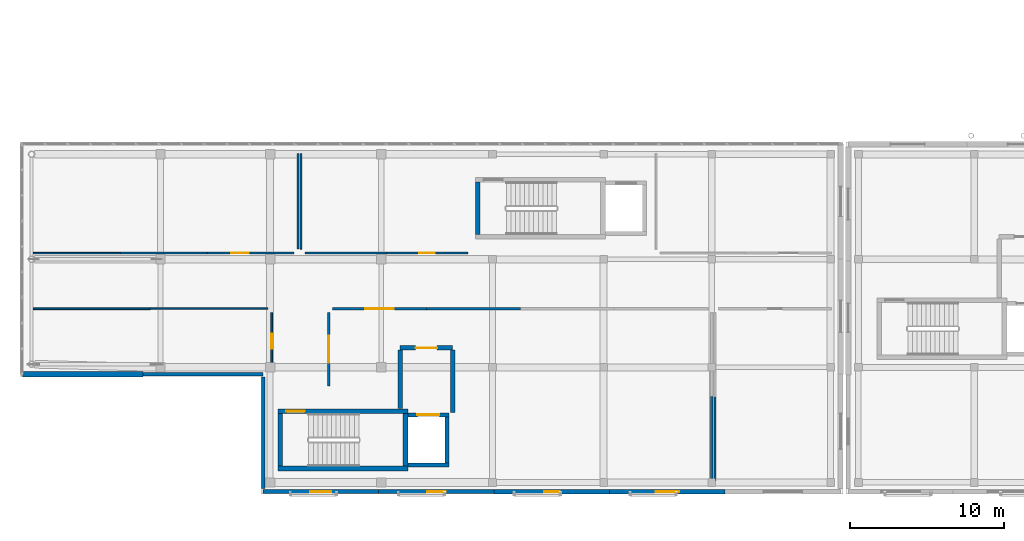
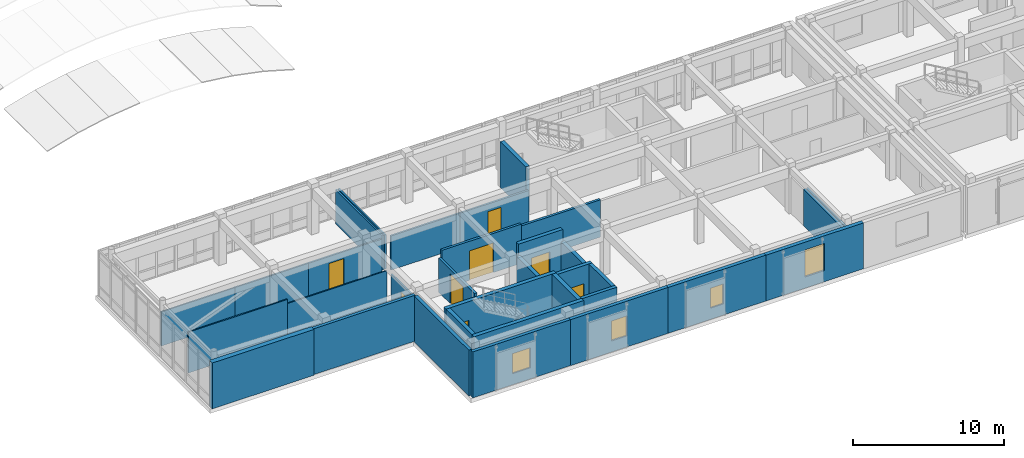
# One storey, part 77 of 91: 33 walls, 8 doors, 4 windows, 12 openings.
"""IFC4 building model written with IfcOpenShell, lengths in metres."""

from ifc_helpers import new_model, si_unit, direction, frame, frame_2d, origin, place, context, subcontext, project, spatial, rectangle, extrude, material, layer, layer_set, type_object, element, fill, save


model = new_model("IFC4")

# Units and contexts
model_context = context("Model", 3, precision=1e-05, world=origin(), true_north=direction((0.0, 1.0)))
body_context = subcontext(model_context, "Body", "Model", "MODEL_VIEW")
ifc_project = project(units=[si_unit("LENGTHUNIT", "METRE"), si_unit("AREAUNIT", "SQUARE_METRE"), si_unit("VOLUMEUNIT", "CUBIC_METRE"), si_unit("PLANEANGLEUNIT", "RADIAN"), si_unit("MASSUNIT", "GRAM", prefix="KILO")], contexts=[model_context])

# Site, building, storey
site_placement = place(None, origin())
site = spatial("IfcSite", under=ifc_project, at=site_placement, CompositionType="ELEMENT")
building_placement = place(site_placement, origin())
building = spatial("IfcBuilding", under=site, at=building_placement, Name="Valcora Specialist Clinic", CompositionType="ELEMENT")
storey_placement = place(building_placement, frame((0.0, 0.0, 13.60009765625)))
storey = spatial("IfcBuildingStorey", under=building, at=storey_placement, Name="L03", CompositionType="ELEMENT", Elevation=13.60009765625)

# Wall, opening, door
ifc_material_1 = material(Name="Concrete C40/50", Category="concrete")
ifc_layer_1 = layer(ifc_material_1, 0.284912109375)
ifc_layer_set_1 = layer_set([ifc_layer_1], Name="Concrete C40/50")
wall_type_1 = type_object("IfcWallType", Name="TY-WL-CR285", PredefinedType="SHEAR", material=ifc_layer_set_1)
wall_1_placement = place(storey_placement, frame((24.6201171875, 9.4599609375, 0.0), z_axis=(0.0, 0.0, 1.0), x_axis=(1.0, 0.0, 0.0)))
wall_1 = element("IfcWall", 1, at=wall_1_placement, inside=storey, type_object=wall_type_1, Name="Firefighting lobby front wall WL-FFL-LF-05-L03-F", PredefinedType="SHEAR", context=body_context, shape_type="SweptSolid", body=[
    extrude(rectangle(XDim=3.39990234375, YDim=0.284912109375, at=frame_2d((1.699951171875, 0.0))), origin(), (0.0, 0.0, 1.0), 3.719970703125),
])
opening_1_placement = place(wall_1_placement, frame((1.0, 0.0, 0.0)))
opening_1 = element("IfcOpeningElement", 2, at=opening_1_placement, cuts=wall_1, Name="Opening DR-FF-140", PredefinedType="OPENING", context=body_context, shape_type="SweptSolid", body=[
    extrude(rectangle(XDim=1.39990234375, YDim=2.25, at=frame_2d((0.699951171875, 1.125))), frame((0.0, 0.15234375, 0.0), z_axis=(0.0, -1.0, 0.0), x_axis=(1.0, 0.0, 0.0)), (0.0, 0.0, 1.0), 0.304931640625),
])
ifc_material_2 = material(Name="Galvanized Hollow Metal Door Steel ASTM A653", Category="steel")
door_type_1 = type_object("IfcDoorType", Name="TY-DR-FF140", OperationType="NOTDEFINED", PredefinedType="DOOR", material=ifc_material_2)
door_1_placement = place(opening_1_placement, origin())
door_1 = element("IfcDoor", 3, at=door_1_placement, inside=storey, type_object=door_type_1, Name="Firefighting lobby fire door LF-05 L03", OperationType="SINGLE_SWING_LEFT", OverallHeight=2.25, OverallWidth=1.39990234375, PredefinedType="DOOR", context=body_context, shape_type="SweptSolid", body=[
    extrude(rectangle(XDim=1.39990234375, YDim=2.25, at=frame_2d((0.699951171875, 1.125))), frame((0.0, 0.02490234375, 0.0), z_axis=(0.0, -1.0, 0.0), x_axis=(1.0, 0.0, 0.0)), (0.0, 0.0, 1.0), 0.050048828125),
])
fill(opening_1, door_1)

# Walls
wall_2_placement = place(storey_placement, frame((24.6201171875, 5.52001953125, 0.0), z_axis=(0.0, 0.0, 1.0), x_axis=(0.0, 1.0, 0.0)))
element("IfcWall", 4, at=wall_2_placement, inside=storey, type_object=wall_type_1, Name="Firefighting lobby west wall", PredefinedType="SHEAR", context=body_context, shape_type="SweptSolid", body=[
    extrude(rectangle(XDim=3.7900390625, YDim=0.284912109375, at=frame_2d((1.89501953125, 0.0))), origin(), (0.0, 0.0, 1.0), 2.77001953125),
])
wall_3_placement = place(storey_placement, frame((28.02001953125, 5.280029296875, 0.0), z_axis=(0.0, 0.0, 1.0), x_axis=(0.0, 1.0, 0.0)))
element("IfcWall", 5, at=wall_3_placement, inside=storey, type_object=wall_type_1, Name="Firefighting lobby east wall", PredefinedType="SHEAR", context=body_context, shape_type="SweptSolid", body=[
    extrude(rectangle(XDim=4.030029296875, YDim=0.284912109375, at=frame_2d((2.01513671875, 0.0))), origin(), (0.0, 0.0, 1.0), 2.77001953125),
])
ifc_layer_2 = layer(ifc_material_1, 0.300048828125)
ifc_layer_set_2 = layer_set([ifc_layer_2], Name="Concrete C40/50")
wall_type_2 = type_object("IfcWallType", Name="TY-WL-CR300", PredefinedType="SHEAR", material=ifc_layer_set_2)
wall_4_placement = place(storey_placement, frame((16.699951171875, 1.64990234375, 0.0), z_axis=(0.0, 0.0, 1.0), x_axis=(1.0, 0.0, 0.0)))
element("IfcWall", 6, at=wall_4_placement, inside=storey, type_object=wall_type_2, Name="Core shear wall WL-CR-C-V5A-L03-S", PredefinedType="SHEAR", context=body_context, shape_type="SweptSolid", body=[
    extrude(rectangle(XDim=8.420166015625, YDim=0.300048828125, at=frame_2d((4.2099609375, 0.0))), origin(), (0.0, 0.0, 1.0), 3.719970703125),
])

# Wall, opening, door
wall_5_placement = place(storey_placement, frame((16.699951171875, 5.35009765625, 0.0), z_axis=(0.0, 0.0, 1.0), x_axis=(1.0, 0.0, 0.0)))
wall_5 = element("IfcWall", 7, at=wall_5_placement, inside=storey, type_object=wall_type_2, Name="Core shear wall WL-CR-C-V5A-L03-N", PredefinedType="SHEAR", context=body_context, shape_type="SweptSolid", body=[
    extrude(rectangle(XDim=8.420166015625, YDim=0.300048828125, at=frame_2d((4.2099609375, 0.0))), origin(), (0.0, 0.0, 1.0), 3.719970703125),
])
opening_2_placement = place(wall_5_placement, frame((0.550048828125, 0.0, 0.0)))
opening_2 = element("IfcOpeningElement", 8, at=opening_2_placement, cuts=wall_5, Name="Opening DR-FD-120", PredefinedType="OPENING", context=body_context, shape_type="SweptSolid", body=[
    extrude(rectangle(XDim=1.199951171875, YDim=2.199951171875, at=frame_2d((0.60009765625, 1.10009765625))), frame((0.0, 0.159912109375, 0.0), z_axis=(0.0, -1.0, 0.0), x_axis=(1.0, 0.0, 0.0)), (0.0, 0.0, 1.0), 0.320068359375),
])
door_type_2 = type_object("IfcDoorType", Name="TY-DR-ST120", OperationType="NOTDEFINED", PredefinedType="DOOR", material=ifc_material_2)
door_2_placement = place(opening_2_placement, origin())
door_2 = element("IfcDoor", 9, at=door_2_placement, inside=storey, type_object=door_type_2, Name="Exit stair fire door C-V5A L03", OperationType="SINGLE_SWING_RIGHT", OverallHeight=2.199951171875, OverallWidth=1.199951171875, PredefinedType="DOOR", context=body_context, shape_type="SweptSolid", body=[
    extrude(rectangle(XDim=1.199951171875, YDim=2.199951171875, at=frame_2d((0.60009765625, 1.10009765625))), frame((0.0, 0.02490234375, 0.0), z_axis=(0.0, -1.0, 0.0), x_axis=(1.0, 0.0, 0.0)), (0.0, 0.0, 1.0), 0.050048828125),
])
fill(opening_2, door_2)

# Walls
for number, where, z_axis, x_axis, name in (
    (10, (16.85009765625, 1.802001953125, 0.0), (0.0, 0.0, 1.0), (0.0, 1.0, 0.0), "Core shear wall WL-CR-C-V5A-L03-W"),
    (11, (29.64990234375, 16.802001953125, 0.0), (0.0, 0.0, 1.0), (0.0, 1.0, 0.0), "Core shear wall WL-CR-C-V5B-L03-W"),
):
    element("IfcWall", number, at=place(storey_placement, frame(where, z_axis=z_axis, x_axis=x_axis)), inside=storey, type_object=wall_type_2, Name=name, PredefinedType="SHEAR", context=body_context, shape_type="SweptSolid", body=[
        extrude(rectangle(XDim=3.39599609375, YDim=0.300048828125, at=frame_2d((1.697998046875, 0.0))), origin(), (0.0, 0.0, 1.0), 3.719970703125),
    ])
ifc_layer_3 = layer(ifc_material_1, 0.320068359375)
ifc_layer_set_3 = layer_set([ifc_layer_3], Name="Concrete C40/50")
wall_type_3 = type_object("IfcWallType", Name="TY-WL-CR320", PredefinedType="SHEAR", material=ifc_layer_set_3)
wall_6_placement = place(storey_placement, frame((24.9599609375, 1.802001953125, 0.0), z_axis=(0.0, 0.0, 1.0), x_axis=(0.0, 1.0, 0.0)))
element("IfcWall", 12, at=wall_6_placement, inside=storey, type_object=wall_type_3, Name="Core shear wall WL-CR-C-V5A-L03-E", PredefinedType="SHEAR", context=body_context, shape_type="SweptSolid", body=[
    extrude(rectangle(XDim=3.39599609375, YDim=0.320068359375, at=frame_2d((1.697998046875, 0.0))), origin(), (0.0, 0.0, 1.0), 3.719970703125),
])
ifc_material_3 = material(Name="Extruded Jalisco Clay Brick Masonry", Category="masonry")
ifc_layer_4 = layer(ifc_material_3, 0.235107421875)
ifc_layer_set_4 = layer_set([ifc_layer_4], Name="Extruded Jalisco Clay Brick Masonry")
wall_type_4 = type_object("IfcWallType", Name="TY-WL-EW235", PredefinedType="SOLIDWALL", material=ifc_layer_set_4)
wall_7_placement = place(storey_placement, frame((15.75, 7.75, 0.0), z_axis=(0.0, 0.0, 1.0), x_axis=(-1.0, 0.0, 0.0)))
element("IfcWall", 13, at=wall_7_placement, inside=storey, type_object=wall_type_4, Name="Exterior wall WL-EXT-L03-0270", PredefinedType="SOLIDWALL", context=body_context, shape_type="SweptSolid", body=[
    extrude(rectangle(XDim=7.800048828125, YDim=0.235107421875, at=frame_2d((3.89990234375, 0.0))), origin(), (0.0, 0.0, 1.0), 3.719970703125),
])
ifc_layer_5 = layer(ifc_material_3, 0.25)
ifc_layer_set_5 = layer_set([ifc_layer_5], Name="Extruded Jalisco Clay Brick Masonry")
wall_type_5 = type_object("IfcWallType", Name="TY-WL-EW250", PredefinedType="SOLIDWALL", material=ifc_layer_set_5)
wall_8_placement = place(storey_placement, frame((15.75, 0.340087890625, 0.0), z_axis=(0.0, 0.0, 1.0), x_axis=(0.0, 1.0, 0.0)))
element("IfcWall", 14, at=wall_8_placement, inside=storey, type_object=wall_type_5, Name="Exterior wall WL-EXT-L03-0269", PredefinedType="SOLIDWALL", context=body_context, shape_type="SweptSolid", body=[
    extrude(rectangle(XDim=7.219970703125, YDim=0.25, at=frame_2d((3.60986328125, 0.0))), origin(), (0.0, 0.0, 1.0), 3.719970703125),
])

# Wall, opening, window
wall_9_placement = place(storey_placement, frame((23.22998046875, 0.14990234375, 0.0), z_axis=(0.0, 0.0, 1.0), x_axis=(-1.0, 0.0, 0.0)))
wall_9 = element("IfcWall", 15, at=wall_9_placement, inside=storey, type_object=wall_type_5, Name="Exterior wall WL-EXT-L03-0279", PredefinedType="SOLIDWALL", context=body_context, shape_type="SweptSolid", body=[
    extrude(rectangle(XDim=7.47998046875, YDim=0.25, at=frame_2d((3.739990234375, 0.0))), origin(), (0.0, 0.0, 1.0), 3.719970703125),
])
opening_3_placement = place(wall_9_placement, frame((3.06005859375, 0.0, 0.89990234375)))
opening_3 = element("IfcOpeningElement", 16, at=opening_3_placement, cuts=wall_9, Name="Opening WN-33", PredefinedType="OPENING", context=body_context, shape_type="SweptSolid", body=[
    extrude(rectangle(XDim=1.360107421875, YDim=1.6201171875, at=frame_2d((0.68017578125, 0.81005859375))), frame((0.0, 0.135009765625, 0.0), z_axis=(0.0, -1.0, 0.0), x_axis=(1.0, 0.0, 0.0)), (0.0, 0.0, 1.0), 0.27001953125),
])
ifc_material_4 = material(Name="Low-E Laminated Insulating Glass", Category="glass")
window_type_1 = type_object("IfcWindowType", Name="TY-WN-33", PartitioningType="SINGLE_PANEL", PredefinedType="WINDOW", material=ifc_material_4)
window_1_placement = place(opening_3_placement, origin())
window_1 = element("IfcWindow", 17, at=window_1_placement, inside=storey, type_object=window_type_1, Name="Facade window WN-L03-0243", OverallHeight=1.6201171875, OverallWidth=1.360107421875, PartitioningType="SINGLE_PANEL", PredefinedType="WINDOW", context=body_context, shape_type="SweptSolid", body=[
    extrude(rectangle(XDim=1.360107421875, YDim=1.6201171875, at=frame_2d((0.68017578125, 0.81005859375))), frame((0.0, 0.030029296875, 0.0), z_axis=(0.0, -1.0, 0.0), x_axis=(1.0, 0.0, 0.0)), (0.0, 0.0, 1.0), 0.06005859375),
])
fill(opening_3, window_1)

ifc_layer_6 = layer(ifc_material_3, 0.264892578125)
ifc_layer_set_6 = layer_set([ifc_layer_6], Name="Extruded Jalisco Clay Brick Masonry")
wall_type_6 = type_object("IfcWallType", Name="TY-WL-EW265", PredefinedType="SOLIDWALL", material=ifc_layer_set_6)
wall_10_placement = place(storey_placement, frame((30.7099609375, 0.14990234375, 0.0), z_axis=(0.0, 0.0, 1.0), x_axis=(-1.0, 0.0, 0.0)))
wall_10 = element("IfcWall", 18, at=wall_10_placement, inside=storey, type_object=wall_type_6, Name="Exterior wall WL-EXT-L03-0278", PredefinedType="SOLIDWALL", context=body_context, shape_type="SweptSolid", body=[
    extrude(rectangle(XDim=7.47998046875, YDim=0.264892578125, at=frame_2d((3.739990234375, 0.0))), origin(), (0.0, 0.0, 1.0), 3.719970703125),
])
opening_4_placement = place(wall_10_placement, frame((3.14990234375, 0.0, 0.89990234375)))
opening_4 = element("IfcOpeningElement", 19, at=opening_4_placement, cuts=wall_10, Name="Opening WN-32", PredefinedType="OPENING", context=body_context, shape_type="SweptSolid", body=[
    extrude(rectangle(XDim=1.179931640625, YDim=1.6201171875, at=frame_2d((0.58984375, 0.81005859375))), frame((0.0, 0.142333984375, 0.0), z_axis=(0.0, -1.0, 0.0), x_axis=(1.0, 0.0, 0.0)), (0.0, 0.0, 1.0), 0.284912109375),
])
window_type_2 = type_object("IfcWindowType", Name="TY-WN-32", PartitioningType="SINGLE_PANEL", PredefinedType="WINDOW", material=ifc_material_4)
window_2_placement = place(opening_4_placement, origin())
window_2 = element("IfcWindow", 20, at=window_2_placement, inside=storey, type_object=window_type_2, Name="Facade window WN-L03-0242", OverallHeight=1.6201171875, OverallWidth=1.179931640625, PartitioningType="SINGLE_PANEL", PredefinedType="WINDOW", context=body_context, shape_type="SweptSolid", body=[
    extrude(rectangle(XDim=1.179931640625, YDim=1.6201171875, at=frame_2d((0.58984375, 0.81005859375))), frame((0.0, 0.030029296875, 0.0), z_axis=(0.0, -1.0, 0.0), x_axis=(1.0, 0.0, 0.0)), (0.0, 0.0, 1.0), 0.06005859375),
])
fill(opening_4, window_2)

ifc_layer_7 = layer(ifc_material_3, 0.280029296875)
ifc_layer_set_7 = layer_set([ifc_layer_7], Name="Extruded Jalisco Clay Brick Masonry")
wall_type_7 = type_object("IfcWallType", Name="TY-WL-EW280", PredefinedType="SOLIDWALL", material=ifc_layer_set_7)
wall_11_placement = place(storey_placement, frame((38.18994140625, 0.14990234375, 0.0), z_axis=(0.0, 0.0, 1.0), x_axis=(-1.0, 0.0, 0.0)))
wall_11 = element("IfcWall", 21, at=wall_11_placement, inside=storey, type_object=wall_type_7, Name="Exterior wall WL-EXT-L03-0277", PredefinedType="SOLIDWALL", context=body_context, shape_type="SweptSolid", body=[
    extrude(rectangle(XDim=7.47998046875, YDim=0.280029296875, at=frame_2d((3.739990234375, 0.0))), origin(), (0.0, 0.0, 1.0), 3.719970703125),
])
opening_5_placement = place(wall_11_placement, frame((3.239990234375, 0.0, 0.89990234375)))
opening_5 = element("IfcOpeningElement", 22, at=opening_5_placement, cuts=wall_11, Name="Opening WN-31", PredefinedType="OPENING", context=body_context, shape_type="SweptSolid", body=[
    extrude(rectangle(XDim=1.0, YDim=1.6201171875, at=frame_2d((0.5, 0.81005859375))), frame((0.0, 0.14990234375, 0.0), z_axis=(0.0, -1.0, 0.0), x_axis=(1.0, 0.0, 0.0)), (0.0, 0.0, 1.0), 0.300048828125),
])
window_type_3 = type_object("IfcWindowType", Name="TY-WN-31", PartitioningType="SINGLE_PANEL", PredefinedType="WINDOW", material=ifc_material_4)
window_3_placement = place(opening_5_placement, origin())
window_3 = element("IfcWindow", 23, at=window_3_placement, inside=storey, type_object=window_type_3, Name="Facade window WN-L03-0241", OverallHeight=1.6201171875, OverallWidth=1.0, PartitioningType="SINGLE_PANEL", PredefinedType="WINDOW", context=body_context, shape_type="SweptSolid", body=[
    extrude(rectangle(XDim=1.0, YDim=1.6201171875, at=frame_2d((0.5, 0.81005859375))), frame((0.0, 0.030029296875, 0.0), z_axis=(0.0, -1.0, 0.0), x_axis=(1.0, 0.0, 0.0)), (0.0, 0.0, 1.0), 0.06005859375),
])
fill(opening_5, window_3)

ifc_layer_8 = layer(ifc_material_3, 0.294921875)
ifc_layer_set_8 = layer_set([ifc_layer_8], Name="Extruded Jalisco Clay Brick Masonry")
wall_type_8 = type_object("IfcWallType", Name="TY-WL-EW295", PredefinedType="SOLIDWALL", material=ifc_layer_set_8)
wall_12_placement = place(storey_placement, frame((45.669921875, 0.14990234375, 0.0), z_axis=(0.0, 0.0, 1.0), x_axis=(-1.0, 0.0, 0.0)))
wall_12 = element("IfcWall", 24, at=wall_12_placement, inside=storey, type_object=wall_type_8, Name="Exterior wall WL-EXT-L03-0276", PredefinedType="SOLIDWALL", context=body_context, shape_type="SweptSolid", body=[
    extrude(rectangle(XDim=7.47998046875, YDim=0.294921875, at=frame_2d((3.739990234375, 0.0))), origin(), (0.0, 0.0, 1.0), 3.719970703125),
])
opening_6_placement = place(wall_12_placement, frame((2.989990234375, 0.0, 0.89990234375)))
opening_6 = element("IfcOpeningElement", 25, at=opening_6_placement, cuts=wall_12, Name="Opening WN-30", PredefinedType="OPENING", context=body_context, shape_type="SweptSolid", body=[
    extrude(rectangle(XDim=1.5, YDim=2.199951171875, at=frame_2d((0.75, 1.10009765625))), frame((0.0, 0.157470703125, 0.0), z_axis=(0.0, -1.0, 0.0), x_axis=(1.0, 0.0, 0.0)), (0.0, 0.0, 1.0), 0.31494140625),
])
window_type_4 = type_object("IfcWindowType", Name="TY-WN-30", PartitioningType="SINGLE_PANEL", PredefinedType="WINDOW", material=ifc_material_4)
window_4_placement = place(opening_6_placement, origin())
window_4 = element("IfcWindow", 26, at=window_4_placement, inside=storey, type_object=window_type_4, Name="Facade window WN-L03-0240", OverallHeight=2.199951171875, OverallWidth=1.5, PartitioningType="SINGLE_PANEL", PredefinedType="WINDOW", context=body_context, shape_type="SweptSolid", body=[
    extrude(rectangle(XDim=1.5, YDim=2.199951171875, at=frame_2d((0.75, 1.10009765625))), frame((0.0, 0.030029296875, 0.0), z_axis=(0.0, -1.0, 0.0), x_axis=(1.0, 0.0, 0.0)), (0.0, 0.0, 1.0), 0.06005859375),
])
fill(opening_6, window_4)

# Walls
ifc_layer_9 = layer(ifc_material_3, 0.3701171875)
ifc_layer_set_9 = layer_set([ifc_layer_9], Name="Extruded Jalisco Clay Brick Masonry")
wall_type_9 = type_object("IfcWallType", Name="TY-WL-EW370", PredefinedType="SOLIDWALL", material=ifc_layer_set_9)
wall_13_placement = place(storey_placement, frame((7.949951171875, 7.75, 0.0), z_axis=(0.0, 0.0, 1.0), x_axis=(-1.0, 0.0, 0.0)))
element("IfcWall", 27, at=wall_13_placement, inside=storey, type_object=wall_type_9, Name="Exterior wall WL-EXT-L03-0271", PredefinedType="SOLIDWALL", context=body_context, shape_type="SweptSolid", body=[
    extrude(rectangle(XDim=7.800048828125, YDim=0.3701171875, at=frame_2d((3.89990234375, 0.0))), origin(), (0.0, 0.0, 1.0), 3.719970703125),
])
ifc_material_5 = material(Name="Gypsum Board Partition Assembly")
ifc_layer_10 = layer(ifc_material_5, 0.094970703125)
ifc_layer_set_10 = layer_set([ifc_layer_10], Name="Gypsum Board Partition Assembly")
wall_type_10 = type_object("IfcWallType", Name="TY-WL-PT095", PredefinedType="PARTITIONING", material=ifc_layer_set_10)
wall_14_placement = place(storey_placement, frame((8.449951171875, 12.0, 0.0), z_axis=(0.0, 0.0, 1.0), x_axis=(1.0, 0.0, 0.0)))
element("IfcWall", 28, at=wall_14_placement, inside=storey, type_object=wall_type_10, Name="Interior partition WL-INT-L03-0431", PredefinedType="PARTITIONING", context=body_context, shape_type="SweptSolid", body=[
    extrude(rectangle(XDim=7.60009765625, YDim=0.094970703125, at=frame_2d((3.800048828125, 0.0))), origin(), (0.0, 0.0, 1.0), 2.969970703125),
])
ifc_layer_11 = layer(ifc_material_5, 0.10498046875)
ifc_layer_set_11 = layer_set([ifc_layer_11], Name="Gypsum Board Partition Assembly")
wall_type_11 = type_object("IfcWallType", Name="TY-WL-PT105", PredefinedType="PARTITIONING", material=ifc_layer_set_11)
wall_15_placement = place(storey_placement, frame((6.48291015625, 15.60009765625, 0.0), z_axis=(0.0, 0.0, 1.0), x_axis=(-1.0, 0.0, 0.0)))
element("IfcWall", 29, at=wall_15_placement, inside=storey, type_object=wall_type_11, Name="Interior partition WL-INT-L03-0418", PredefinedType="PARTITIONING", context=body_context, shape_type="SweptSolid", body=[
    extrude(rectangle(XDim=5.6328125, YDim=0.10498046875, at=frame_2d((2.81640625, 0.0))), origin(), (0.0, 0.0, 1.0), 2.77001953125),
])
wall_16_placement = place(storey_placement, frame((0.85009765625, 12.0, 0.0), z_axis=(0.0, 0.0, 1.0), x_axis=(1.0, 0.0, 0.0)))
element("IfcWall", 30, at=wall_16_placement, inside=storey, type_object=wall_type_11, Name="Interior partition WL-INT-L03-0430", PredefinedType="PARTITIONING", context=body_context, shape_type="SweptSolid", body=[
    extrude(rectangle(XDim=7.599853515625, YDim=0.10498046875, at=frame_2d((3.7998046875, 0.0))), origin(), (0.0, 0.0, 1.0), 3.309814453125),
])
ifc_layer_12 = layer(ifc_material_5, 0.114990234375)
ifc_layer_set_12 = layer_set([ifc_layer_12], Name="Gypsum Board Partition Assembly")
wall_type_12 = type_object("IfcWallType", Name="TY-WL-PT115", PredefinedType="PARTITIONING", material=ifc_layer_set_12)
wall_17_placement = place(storey_placement, frame((12.116943359375, 15.60009765625, 0.0), z_axis=(0.0, 0.0, 1.0), x_axis=(-1.0, 0.0, 0.0)))
element("IfcWall", 31, at=wall_17_placement, inside=storey, type_object=wall_type_12, Name="Interior partition WL-INT-L03-0417", PredefinedType="PARTITIONING", context=body_context, shape_type="SweptSolid", body=[
    extrude(rectangle(XDim=5.634033203125, YDim=0.114990234375, at=frame_2d((2.81689453125, 0.0))), origin(), (0.0, 0.0, 1.0), 2.77001953125),
])

# Wall, opening, door
wall_18_placement = place(storey_placement, frame((16.300048828125, 11.75, 0.0), z_axis=(0.0, 0.0, 1.0), x_axis=(0.0, -1.0, 0.0)))
wall_18 = element("IfcWall", 32, at=wall_18_placement, inside=storey, type_object=wall_type_12, Name="Interior partition WL-INT-L03-0429", PredefinedType="PARTITIONING", context=body_context, shape_type="SweptSolid", body=[
    extrude(rectangle(XDim=3.699951171875, YDim=0.114990234375, at=frame_2d((1.85009765625, 0.0))), origin(), (0.0, 0.0, 1.0), 2.77001953125),
])
opening_7_placement = place(wall_18_placement, frame((1.360107421875, 0.0, 0.0)))
opening_7 = element("IfcOpeningElement", 33, at=opening_7_placement, cuts=wall_18, Name="Opening DR-CN-098", PredefinedType="OPENING", context=body_context, shape_type="SweptSolid", body=[
    extrude(rectangle(XDim=0.97998046875, YDim=2.14990234375, at=frame_2d((0.489990234375, 1.074951171875))), frame((0.0, 0.0673828125, 0.0), z_axis=(0.0, -1.0, 0.0), x_axis=(1.0, 0.0, 0.0)), (0.0, 0.0, 1.0), 0.135009765625),
])
ifc_material_6 = material(Name="Glulam Conifer Class 24F", Category="wood")
door_type_3 = type_object("IfcDoorType", Name="TY-DR-CN098", OperationType="NOTDEFINED", PredefinedType="DOOR", material=ifc_material_6)
door_3_placement = place(opening_7_placement, origin())
door_3 = element("IfcDoor", 34, at=door_3_placement, inside=storey, type_object=door_type_3, Name="Interior door DR-INT-L03-0119", OperationType="SINGLE_SWING_LEFT", OverallHeight=2.14990234375, OverallWidth=0.97998046875, PredefinedType="DOOR", context=body_context, shape_type="SweptSolid", body=[
    extrude(rectangle(XDim=0.97998046875, YDim=2.14990234375, at=frame_2d((0.489990234375, 1.074951171875))), frame((0.0, 0.02490234375, 0.0), z_axis=(0.0, -1.0, 0.0), x_axis=(1.0, 0.0, 0.0)), (0.0, 0.0, 1.0), 0.050048828125),
])
fill(opening_7, door_3)

ifc_layer_13 = layer(ifc_material_5, 0.125)
ifc_layer_set_13 = layer_set([ifc_layer_13], Name="Gypsum Board Partition Assembly")
wall_type_13 = type_object("IfcWallType", Name="TY-WL-PT125", PredefinedType="PARTITIONING", material=ifc_layer_set_13)
wall_19_placement = place(storey_placement, frame((17.75, 15.60009765625, 0.0), z_axis=(0.0, 0.0, 1.0), x_axis=(-1.0, 0.0, 0.0)))
wall_19 = element("IfcWall", 35, at=wall_19_placement, inside=storey, type_object=wall_type_13, Name="Interior partition WL-INT-L03-0416", PredefinedType="PARTITIONING", context=body_context, shape_type="SweptSolid", body=[
    extrude(rectangle(XDim=5.633056640625, YDim=0.125, at=frame_2d((2.81640625, 0.0))), origin(), (0.0, 0.0, 1.0), 2.77001953125),
])
opening_8_placement = place(wall_19_placement, frame((2.919921875, 0.0, 0.0)))
opening_8 = element("IfcOpeningElement", 36, at=opening_8_placement, cuts=wall_19, Name="Opening DR-CN-114", PredefinedType="OPENING", context=body_context, shape_type="SweptSolid", body=[
    extrude(rectangle(XDim=1.139892578125, YDim=2.199951171875, at=frame_2d((0.56982421875, 1.10009765625))), frame((0.0, 0.072509765625, 0.0), z_axis=(0.0, -1.0, 0.0), x_axis=(1.0, 0.0, 0.0)), (0.0, 0.0, 1.0), 0.14501953125),
])
door_type_4 = type_object("IfcDoorType", Name="TY-DR-CN114", OperationType="NOTDEFINED", PredefinedType="DOOR", material=ifc_material_6)
door_4_placement = place(opening_8_placement, origin())
door_4 = element("IfcDoor", 37, at=door_4_placement, inside=storey, type_object=door_type_4, Name="Interior door DR-INT-L03-0115", OperationType="SINGLE_SWING_LEFT", OverallHeight=2.199951171875, OverallWidth=1.139892578125, PredefinedType="DOOR", context=body_context, shape_type="SweptSolid", body=[
    extrude(rectangle(XDim=1.139892578125, YDim=2.199951171875, at=frame_2d((0.56982421875, 1.10009765625))), frame((0.0, 0.02490234375, 0.0), z_axis=(0.0, -1.0, 0.0), x_axis=(1.0, 0.0, 0.0)), (0.0, 0.0, 1.0), 0.050048828125),
])
fill(opening_8, door_4)

# Walls
wall_20_placement = place(storey_placement, frame((18.199951171875, 15.85009765625, 0.0), z_axis=(0.0, 0.0, 1.0), x_axis=(0.0, 1.0, 0.0)))
element("IfcWall", 38, at=wall_20_placement, inside=storey, type_object=wall_type_13, Name="Interior partition WL-INT-L03-0428", PredefinedType="PARTITIONING", context=body_context, shape_type="SweptSolid", body=[
    extrude(rectangle(XDim=6.199951171875, YDim=0.125, at=frame_2d((3.10009765625, 0.0))), origin(), (0.0, 0.0, 1.0), 2.77001953125),
])
ifc_layer_14 = layer(ifc_material_5, 0.135009765625)
ifc_layer_set_14 = layer_set([ifc_layer_14], Name="Gypsum Board Partition Assembly")
wall_type_14 = type_object("IfcWallType", Name="TY-WL-PT135", PredefinedType="PARTITIONING", material=ifc_layer_set_14)
wall_21_placement = place(storey_placement, frame((18.0, 22.050048828125, 0.0), z_axis=(0.0, 0.0, 1.0), x_axis=(0.0, -1.0, 0.0)))
element("IfcWall", 39, at=wall_21_placement, inside=storey, type_object=wall_type_14, Name="Interior partition WL-INT-L03-0415", PredefinedType="PARTITIONING", context=body_context, shape_type="SweptSolid", body=[
    extrude(rectangle(XDim=6.199951171875, YDim=0.135009765625, at=frame_2d((3.10009765625, 0.0))), origin(), (0.0, 0.0, 1.0), 2.77001953125),
])
wall_22_placement = place(storey_placement, frame((23.72509765625, 15.60009765625, 0.0), z_axis=(0.0, 0.0, 1.0), x_axis=(-1.0, 0.0, 0.0)))
element("IfcWall", 40, at=wall_22_placement, inside=storey, type_object=wall_type_14, Name="Interior partition WL-INT-L03-0427", PredefinedType="PARTITIONING", context=body_context, shape_type="SweptSolid", body=[
    extrude(rectangle(XDim=5.275146484375, YDim=0.135009765625, at=frame_2d((2.6376953125, 0.0))), origin(), (0.0, 0.0, 1.0), 2.77001953125),
])
wall_23_placement = place(storey_placement, frame((45.0, 0.85009765625, 0.0), z_axis=(0.0, 0.0, 1.0), x_axis=(0.0, 1.0, 0.0)))
element("IfcWall", 41, at=wall_23_placement, inside=storey, type_object=wall_type_14, Name="Interior partition WL-INT-L03-0433", PredefinedType="PARTITIONING", context=body_context, shape_type="SweptSolid", body=[
    extrude(rectangle(XDim=5.449951171875, YDim=0.135009765625, at=frame_2d((2.72509765625, 0.0))), origin(), (0.0, 0.0, 1.0), 2.994873046875),
])

# Wall, opening, door
ifc_layer_15 = layer(ifc_material_5, 0.14501953125)
ifc_layer_set_15 = layer_set([ifc_layer_15], Name="Gypsum Board Partition Assembly")
wall_type_15 = type_object("IfcWallType", Name="TY-WL-PT145", PredefinedType="PARTITIONING", material=ifc_layer_set_15)
wall_24_placement = place(storey_placement, frame((29.0, 15.60009765625, 0.0), z_axis=(0.0, 0.0, 1.0), x_axis=(-1.0, 0.0, 0.0)))
wall_24 = element("IfcWall", 42, at=wall_24_placement, inside=storey, type_object=wall_type_15, Name="Interior partition WL-INT-L03-0426", PredefinedType="PARTITIONING", context=body_context, shape_type="SweptSolid", body=[
    extrude(rectangle(XDim=5.27490234375, YDim=0.14501953125, at=frame_2d((2.637451171875, 0.0))), origin(), (0.0, 0.0, 1.0), 2.77001953125),
])
opening_9_placement = place(wall_24_placement, frame((2.126953125, 0.0, 0.0)))
opening_9 = element("IfcOpeningElement", 43, at=opening_9_placement, cuts=wall_24, Name="Opening DR-CN-102", PredefinedType="OPENING", context=body_context, shape_type="SweptSolid", body=[
    extrude(rectangle(XDim=1.02001953125, YDim=2.14990234375, at=frame_2d((0.510009765625, 1.074951171875))), frame((0.0, 0.08251953125, 0.0), z_axis=(0.0, -1.0, 0.0), x_axis=(1.0, 0.0, 0.0)), (0.0, 0.0, 1.0), 0.1650390625),
])
door_type_5 = type_object("IfcDoorType", Name="TY-DR-CN102", OperationType="NOTDEFINED", PredefinedType="DOOR", material=ifc_material_6)
door_5_placement = place(opening_9_placement, origin())
door_5 = element("IfcDoor", 44, at=door_5_placement, inside=storey, type_object=door_type_5, Name="Interior door DR-INT-L03-0118", OperationType="SINGLE_SWING_RIGHT", OverallHeight=2.14990234375, OverallWidth=1.02001953125, PredefinedType="DOOR", context=body_context, shape_type="SweptSolid", body=[
    extrude(rectangle(XDim=1.02001953125, YDim=2.14990234375, at=frame_2d((0.510009765625, 1.074951171875))), frame((0.0, 0.02490234375, 0.0), z_axis=(0.0, -1.0, 0.0), x_axis=(1.0, 0.0, 0.0)), (0.0, 0.0, 1.0), 0.050048828125),
])
fill(opening_9, door_5)

# Wall
ifc_layer_16 = layer(ifc_material_5, 0.18505859375)
ifc_layer_set_16 = layer_set([ifc_layer_16], Name="Gypsum Board Partition Assembly")
wall_type_16 = type_object("IfcWallType", Name="TY-WL-PT185", PredefinedType="PARTITIONING", material=ifc_layer_set_16)
wall_25_placement = place(storey_placement, frame((44.800048828125, 6.300048828125, 0.0), z_axis=(0.0, 0.0, 1.0), x_axis=(0.0, -1.0, 0.0)))
element("IfcWall", 45, at=wall_25_placement, inside=storey, type_object=wall_type_16, Name="Interior partition WL-INT-L03-0420", PredefinedType="PARTITIONING", context=body_context, shape_type="SweptSolid", body=[
    extrude(rectangle(XDim=5.449951171875, YDim=0.18505859375, at=frame_2d((2.72509765625, 0.0))), origin(), (0.0, 0.0, 1.0), 2.969970703125),
])

# Wall, opening, door
wall_26_placement = place(storey_placement, frame((20.0, 7.0, 0.0), z_axis=(0.0, 0.0, 1.0), x_axis=(0.0, 1.0, 0.0)))
wall_26 = element("IfcWall", 46, at=wall_26_placement, inside=storey, type_object=wall_type_16, Name="Interior partition WL-INT-L03-0421", PredefinedType="PARTITIONING", context=body_context, shape_type="SweptSolid", body=[
    extrude(rectangle(XDim=4.75, YDim=0.18505859375, at=frame_2d((2.375, 0.0))), origin(), (0.0, 0.0, 1.0), 2.77001953125),
])
opening_10_placement = place(wall_26_placement, frame((1.5, 0.0, 0.0)))
opening_10 = element("IfcOpeningElement", 47, at=opening_10_placement, cuts=wall_26, Name="Opening DR-OR-175", PredefinedType="OPENING", context=body_context, shape_type="SweptSolid", body=[
    extrude(rectangle(XDim=1.75, YDim=2.39990234375, at=frame_2d((0.875, 1.199951171875))), frame((0.0, 0.1025390625, 0.0), z_axis=(0.0, -1.0, 0.0), x_axis=(1.0, 0.0, 0.0)), (0.0, 0.0, 1.0), 0.205078125),
])
ifc_material_7 = material(Name="Stainless Steel AISI 316", Category="steel")
door_type_6 = type_object("IfcDoorType", Name="TY-DR-OR175", OperationType="NOTDEFINED", PredefinedType="DOOR", material=ifc_material_7)
door_6_placement = place(opening_10_placement, origin())
door_6 = element("IfcDoor", 48, at=door_6_placement, inside=storey, type_object=door_type_6, Name="Interior door DR-INT-L03-0116", OperationType="SINGLE_SWING_RIGHT", OverallHeight=2.39990234375, OverallWidth=1.75, PredefinedType="DOOR", context=body_context, shape_type="SweptSolid", body=[
    extrude(rectangle(XDim=1.75, YDim=2.39990234375, at=frame_2d((0.875, 1.199951171875))), frame((0.0, 0.02490234375, 0.0), z_axis=(0.0, -1.0, 0.0), x_axis=(1.0, 0.0, 0.0)), (0.0, 0.0, 1.0), 0.050048828125),
])
fill(opening_10, door_6)

wall_27_placement = place(storey_placement, frame((20.25, 12.0, 0.0), z_axis=(0.0, 0.0, 1.0), x_axis=(1.0, 0.0, 0.0)))
wall_27 = element("IfcWall", 49, at=wall_27_placement, inside=storey, type_object=wall_type_16, Name="Interior partition WL-INT-L03-0422", PredefinedType="PARTITIONING", context=body_context, shape_type="SweptSolid", body=[
    extrude(rectangle(XDim=6.074951171875, YDim=0.18505859375, at=frame_2d((3.03759765625, 0.0))), origin(), (0.0, 0.0, 1.0), 3.169921875),
])
opening_11_placement = place(wall_27_placement, frame((2.112060546875, 0.0, 0.0)))
opening_11 = element("IfcOpeningElement", 50, at=opening_11_placement, cuts=wall_27, Name="Opening DR-OR-185", PredefinedType="OPENING", context=body_context, shape_type="SweptSolid", body=[
    extrude(rectangle(XDim=1.85009765625, YDim=2.39990234375, at=frame_2d((0.925048828125, 1.199951171875))), frame((0.0, 0.1025390625, 0.0), z_axis=(0.0, -1.0, 0.0), x_axis=(1.0, 0.0, 0.0)), (0.0, 0.0, 1.0), 0.205078125),
])
door_type_7 = type_object("IfcDoorType", Name="TY-DR-OR185", OperationType="NOTDEFINED", PredefinedType="DOOR", material=ifc_material_7)
door_7_placement = place(opening_11_placement, origin())
door_7 = element("IfcDoor", 51, at=door_7_placement, inside=storey, type_object=door_type_7, Name="Interior door DR-INT-L03-0117", OperationType="SINGLE_SWING_LEFT", OverallHeight=2.39990234375, OverallWidth=1.85009765625, PredefinedType="DOOR", context=body_context, shape_type="SweptSolid", body=[
    extrude(rectangle(XDim=1.85009765625, YDim=2.39990234375, at=frame_2d((0.925048828125, 1.199951171875))), frame((0.0, 0.02490234375, 0.0), z_axis=(0.0, -1.0, 0.0), x_axis=(1.0, 0.0, 0.0)), (0.0, 0.0, 1.0), 0.050048828125),
])
fill(opening_11, door_7)

# Walls
wall_28_placement = place(storey_placement, frame((26.324951171875, 12.0, 0.0), z_axis=(0.0, 0.0, 1.0), x_axis=(1.0, 0.0, 0.0)))
element("IfcWall", 52, at=wall_28_placement, inside=storey, type_object=wall_type_16, Name="Interior partition WL-INT-L03-0423", PredefinedType="PARTITIONING", context=body_context, shape_type="SweptSolid", body=[
    extrude(rectangle(XDim=6.074951171875, YDim=0.18505859375, at=frame_2d((3.03759765625, 0.0))), origin(), (0.0, 0.0, 1.0), 3.02001953125),
])
ifc_layer_17 = layer(ifc_material_1, 0.260009765625)
ifc_layer_set_17 = layer_set([ifc_layer_17], Name="Concrete C40/50")
wall_type_17 = type_object("IfcWallType", Name="TY-WL-SH260", PredefinedType="SHEAR", material=ifc_layer_set_17)
wall_29_placement = place(storey_placement, frame((25.1220703125, 1.8701171875, 0.0), z_axis=(0.0, 0.0, 1.0), x_axis=(1.0, 0.0, 0.0)))
element("IfcWall", 53, at=wall_29_placement, inside=storey, type_object=wall_type_17, Name="Lift shaft wall WL-LF-LF-05-L03-LS", PredefinedType="SHEAR", context=body_context, shape_type="SweptSolid", body=[
    extrude(rectangle(XDim=2.657958984375, YDim=0.260009765625, at=frame_2d((1.3291015625, 0.0))), origin(), (0.0, 0.0, 1.0), 3.719970703125),
])

# Wall, opening, door
wall_30_placement = place(storey_placement, frame((25.1220703125, 5.1298828125, 0.0), z_axis=(0.0, 0.0, 1.0), x_axis=(1.0, 0.0, 0.0)))
wall_30 = element("IfcWall", 54, at=wall_30_placement, inside=storey, type_object=wall_type_17, Name="Lift shaft wall WL-LF-LF-05-L03-LN", PredefinedType="SHEAR", context=body_context, shape_type="SweptSolid", body=[
    extrude(rectangle(XDim=2.657958984375, YDim=0.260009765625, at=frame_2d((1.3291015625, 0.0))), origin(), (0.0, 0.0, 1.0), 3.719970703125),
])
opening_12_placement = place(wall_30_placement, frame((0.618896484375, 0.0, 0.0)))
opening_12 = element("IfcOpeningElement", 55, at=opening_12_placement, cuts=wall_30, Name="Opening LD-142", PredefinedType="OPENING", context=body_context, shape_type="SweptSolid", body=[
    extrude(rectangle(XDim=1.419921875, YDim=2.25, at=frame_2d((0.7099609375, 1.125))), frame((0.0, 0.139892578125, 0.0), z_axis=(0.0, -1.0, 0.0), x_axis=(1.0, 0.0, 0.0)), (0.0, 0.0, 1.0), 0.280029296875),
])
door_type_8 = type_object("IfcDoorType", Name="TY-LD-142", OperationType="NOTDEFINED", PredefinedType="DOOR", material=ifc_material_7)
door_8_placement = place(opening_12_placement, origin())
door_8 = element("IfcDoor", 56, at=door_8_placement, inside=storey, type_object=door_type_8, Name="Lift landing sliding door LF-05 L03", OperationType="SLIDING_TO_LEFT", OverallHeight=2.25, OverallWidth=1.419921875, PredefinedType="DOOR", context=body_context, shape_type="SweptSolid", body=[
    extrude(rectangle(XDim=1.419921875, YDim=2.25, at=frame_2d((0.7099609375, 1.125))), frame((0.0, 0.02490234375, 0.0), z_axis=(0.0, -1.0, 0.0), x_axis=(1.0, 0.0, 0.0)), (0.0, 0.0, 1.0), 0.050048828125),
])
fill(opening_12, door_8)

# Wall
wall_31_placement = place(storey_placement, frame((27.64990234375, 2.001953125, 0.0), z_axis=(0.0, 0.0, 1.0), x_axis=(0.0, 1.0, 0.0)))
element("IfcWall", 57, at=wall_31_placement, inside=storey, type_object=wall_type_17, Name="Lift shaft wall WL-LF-LF-05-L03-LE", PredefinedType="SHEAR", context=body_context, shape_type="SweptSolid", body=[
    extrude(rectangle(XDim=2.99609375, YDim=0.260009765625, at=frame_2d((1.498046875, 0.0))), origin(), (0.0, 0.0, 1.0), 3.719970703125),
])

save(model, "model.ifc")
